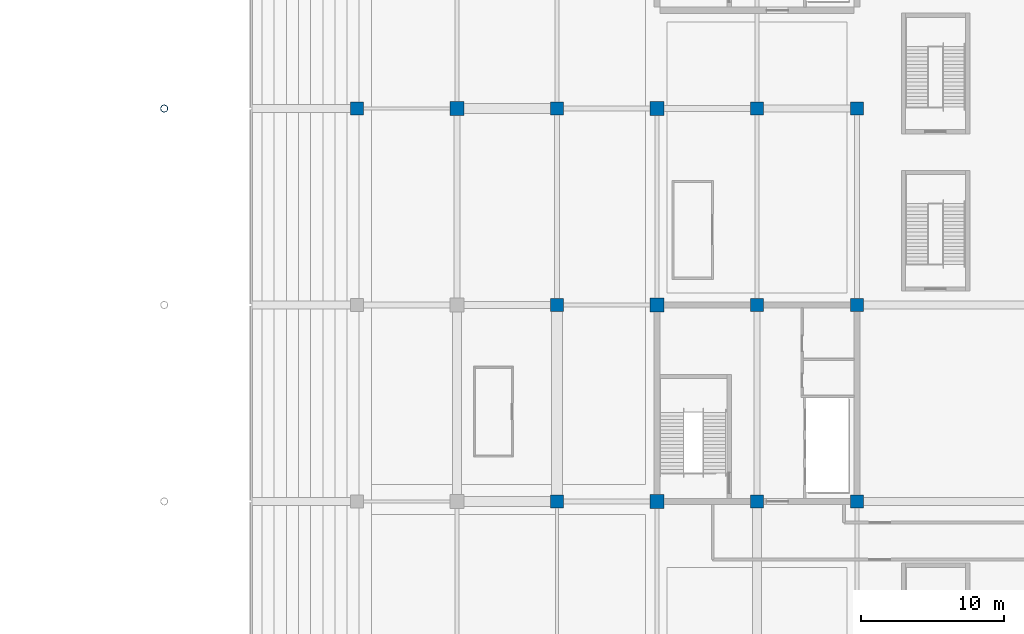
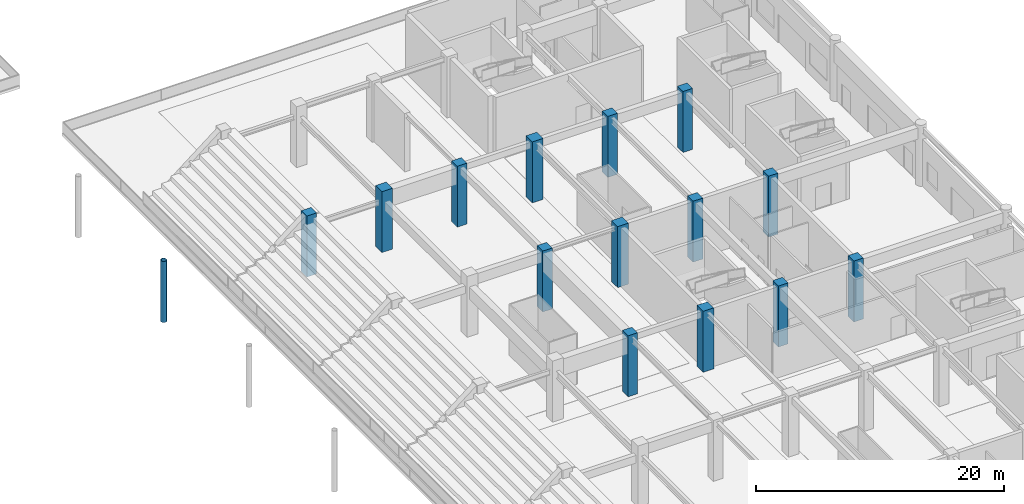
# One storey, part 14 of 73: 15 columns.
"""IFC4 building model written with IfcOpenShell, lengths in metres."""

from ifc_helpers import new_model, si_unit, direction, frame, origin, origin_2d, place, context, subcontext, project, spatial, rectangle, hollow_circle, extrude, material, material_profile, profile_set, type_object, element, save


model = new_model("IFC4")

# Units and contexts
model_context = context("Model", 3, precision=1e-05, world=origin(), true_north=direction((0.0, 1.0)))
body_context = subcontext(model_context, "Body", "Model", "MODEL_VIEW")
ifc_project = project(units=[si_unit("LENGTHUNIT", "METRE"), si_unit("AREAUNIT", "SQUARE_METRE"), si_unit("VOLUMEUNIT", "CUBIC_METRE"), si_unit("PLANEANGLEUNIT", "RADIAN"), si_unit("MASSUNIT", "GRAM", prefix="KILO")], contexts=[model_context])

# Site, building, storey
site_placement = place(None, origin())
site = spatial("IfcSite", under=ifc_project, at=site_placement, CompositionType="ELEMENT")
building_placement = place(site_placement, origin())
building = spatial("IfcBuilding", under=site, at=building_placement, Name="Linyun Crest Stadium", CompositionType="ELEMENT")
storey_placement = place(building_placement, origin())
storey = spatial("IfcBuildingStorey", under=building, at=storey_placement, Name="L01", CompositionType="ELEMENT", Elevation=0.0)

# Columns
ifc_material_1 = material(Name="Concrete C50", Category="concrete")
ifc_material_profile_1 = material_profile(ifc_material_1, rectangle(XDim=0.89990234375, YDim=0.89990234375, at=origin_2d()), Name="RC 900x900")
ifc_profile_set_1 = profile_set([ifc_material_profile_1], Name="Concrete C50")
column_type_1 = type_object("IfcColumnType", Name="C04", PredefinedType="COLUMN", material=ifc_profile_set_1)
column_1_placement = place(storey_placement, frame((49.0, 29.625, 0.0), z_axis=(0.0, 0.0, 1.0), x_axis=(1.0, 0.0, 0.0)))
element("IfcColumn", 1, at=column_1_placement, inside=storey, type_object=column_type_1, Name="Column C04 L01 318", PredefinedType="COLUMN", context=body_context, shape_type="SweptSolid", body=[
    extrude(rectangle(XDim=0.89990234375, YDim=0.89990234375, at=origin_2d()), origin(), (0.0, 0.0, 1.0), 6.0),
])
for number, where, z_axis, x_axis, name in (
    (2, (63.0, 2.125, 0.0), (0.0, 0.0, 1.0), (1.0, 0.0, 0.0), "Column C04 L01 374"),
    (3, (63.0, 15.875, 0.0), (0.0, 0.0, 1.0), (1.0, 0.0, 0.0), "Column C04 L01 379"),
    (4, (63.0, 29.625, 0.0), (0.0, 0.0, 1.0), (1.0, 0.0, 0.0), "Column C04 L01 384"),
    (5, (77.0, 2.125, 0.0), (0.0, 0.0, 1.0), (1.0, 0.0, 0.0), "Column C04 L01 462"),
    (6, (77.0, 15.875, 0.0), (0.0, 0.0, 1.0), (1.0, 0.0, 0.0), "Column C04 L01 467"),
    (7, (77.0, 29.625, 0.0), (0.0, 0.0, 1.0), (1.0, 0.0, 0.0), "Column C04 L01 472"),
    (8, (84.0, 2.125, 0.0), (0.0, 0.0, 1.0), (1.0, 0.0, 0.0), "Column C04 L01 506"),
    (9, (84.0, 15.875, 0.0), (0.0, 0.0, 1.0), (1.0, 0.0, 0.0), "Column C04 L01 512"),
    (10, (84.0, 29.625, 0.0), (0.0, 0.0, 1.0), (1.0, 0.0, 0.0), "Column C04 L01 518"),
):
    element("IfcColumn", number, at=place(storey_placement, frame(where, z_axis=z_axis, x_axis=x_axis)), inside=storey, type_object=column_type_1, Name=name, PredefinedType="COLUMN", context=body_context, shape_type="SweptSolid", body=[
        extrude(rectangle(XDim=0.89990234375, YDim=0.89990234375, at=origin_2d()), origin(), (0.0, 0.0, 1.0), 5.998046875),
    ])
ifc_material_2 = material(Name="Concrete C50", Category="concrete")
ifc_material_profile_2 = material_profile(ifc_material_2, rectangle(XDim=1.0, YDim=1.0, at=origin_2d()), Name="RC 1000x1000")
ifc_profile_set_2 = profile_set([ifc_material_profile_2], Name="Concrete C50")
column_type_2 = type_object("IfcColumnType", Name="C05", PredefinedType="COLUMN", material=ifc_profile_set_2)
for number, where, z_axis, x_axis, name in (
    (11, (56.0, 29.625, 0.0), (0.0, 0.0, 1.0), (1.0, 0.0, 0.0), "Column C05 L01 346"),
    (12, (70.0, 2.125, 0.0), (0.0, 0.0, 1.0), (1.0, 0.0, 0.0), "Column C05 L01 418"),
    (13, (70.0, 15.875, 0.0), (0.0, 0.0, 1.0), (1.0, 0.0, 0.0), "Column C05 L01 424"),
    (14, (70.0, 29.625, 0.0), (0.0, 0.0, 1.0), (1.0, 0.0, 0.0), "Column C05 L01 430"),
):
    element("IfcColumn", number, at=place(storey_placement, frame(where, z_axis=z_axis, x_axis=x_axis)), inside=storey, type_object=column_type_2, Name=name, PredefinedType="COLUMN", context=body_context, shape_type="SweptSolid", body=[
        extrude(rectangle(XDim=1.0, YDim=1.0, at=origin_2d()), origin(), (0.0, 0.0, 1.0), 5.998046875),
    ])
ifc_material_3 = material(Name="Steel Q355C", Category="steel")
ifc_material_profile_3 = material_profile(ifc_material_3, hollow_circle(Radius=0.25390625, WallThickness=0.02490234375, at=origin_2d()), Name="CHS 508x25")
ifc_profile_set_3 = profile_set([ifc_material_profile_3], Name="Steel Q355C")
column_type_3 = type_object("IfcColumnType", Name="SC05", PredefinedType="COLUMN", material=ifc_profile_set_3)
column_2_placement = place(storey_placement, frame((35.5, 29.625, 0.0), z_axis=(0.0, 0.0, 1.0), x_axis=(1.0, 0.0, 0.0)))
element("IfcColumn", 15, at=column_2_placement, inside=storey, type_object=column_type_3, Name="Arch colonnade column SC05 L01 30", PredefinedType="COLUMN", context=body_context, shape_type="SweptSolid", body=[
    extrude(hollow_circle(Radius=0.25390625, WallThickness=0.02490234375, at=origin_2d()), origin(), (0.0, 0.0, 1.0), 6.0),
])

save(model, "model.ifc")
